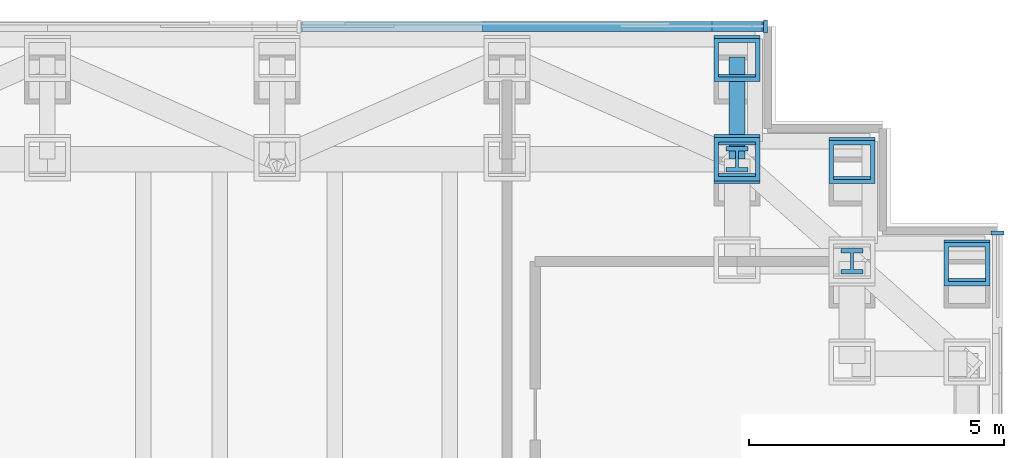
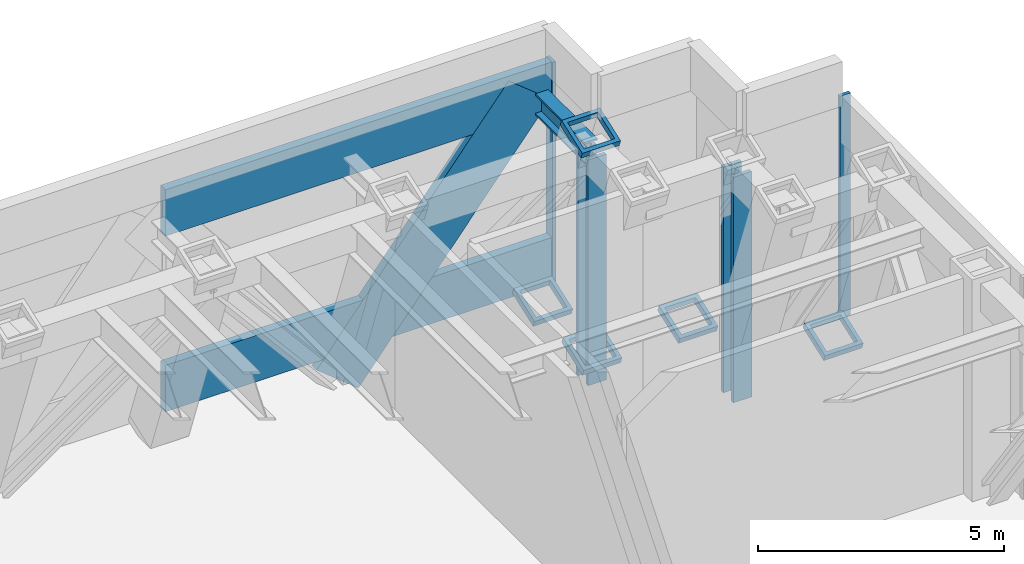
# One storey, part 9 of 16: 12 members, 1 beam, 2 elements without a shape of their own.
"""IFC4 building model written with IfcOpenShell, lengths in metres."""

from ifc_helpers import new_model, si_unit, direction, frame, origin, origin_2d, place, context, subcontext, project, spatial, rectangle, hollow_rectangle, i_section, extrude, material, material_profile, profile_set, type_object, element, aggregate, save


model = new_model("IFC4")

# Units and contexts
model_context = context("Model", 3, precision=1e-05, world=origin(), true_north=direction((0.0, 1.0)))
body_context = subcontext(model_context, "Body", "Model", "MODEL_VIEW")
ifc_project = project(units=[si_unit("LENGTHUNIT", "METRE"), si_unit("AREAUNIT", "SQUARE_METRE"), si_unit("VOLUMEUNIT", "CUBIC_METRE"), si_unit("PLANEANGLEUNIT", "RADIAN"), si_unit("MASSUNIT", "GRAM", prefix="KILO")], contexts=[model_context])

# Site, building, storey
site_placement = place(None, origin())
site = spatial("IfcSite", under=ifc_project, at=site_placement, CompositionType="ELEMENT")
building_placement = place(site_placement, origin())
building = spatial("IfcBuilding", under=site, at=building_placement, Name="Rheinbord Bourse Tower", CompositionType="ELEMENT")
storey_placement = place(building_placement, frame((0.0, 0.0, 180.300048828125)))
storey = spatial("IfcBuildingStorey", under=building, at=storey_placement, Name="L40", CompositionType="ELEMENT", Elevation=180.300048828125)

# Members
ifc_material_1 = material(Name="Steel S460", Category="steel")
ifc_material_profile_1 = material_profile(ifc_material_1, i_section(OverallWidth=0.431884765625, OverallDepth=0.498046875, WebThickness=0.0556640625, FlangeThickness=0.0888671875, at=origin_2d()), Name="HD 400x744")
ifc_profile_set_1 = profile_set([ifc_material_profile_1], Name="Steel S460")
member_type_1 = type_object("IfcMemberType", Name="BELT DIAGONAL HD 400x744", PredefinedType="STRUT", material=ifc_profile_set_1)
for number, where, z_axis, x_axis, name in (
    (1, (69.75, 42.0, -0.60009765625), (0.0, 0.0, 1.0), (1.0, 0.0, 0.0), "Belt truss diagonal NE-B-NE-C L40"),
    (2, (67.5, 44.0, -0.60009765625), (0.0, 0.0, 1.0), (1.0, 0.0, 0.0), "Belt truss diagonal NE-D-NE-E L40"),
):
    element("IfcMember", number, at=place(storey_placement, frame(where, z_axis=z_axis, x_axis=x_axis)), inside=storey, type_object=member_type_1, Name=name, PredefinedType="STRUT", context=body_context, shape_type="SweptSolid", body=[
        extrude(i_section(OverallWidth=0.431884765625, OverallDepth=0.498046875, WebThickness=0.0556640625, FlangeThickness=0.0888671875, at=origin_2d()), origin(), (0.0, 0.0, 1.0), 5.590087890625),
    ])

# Curtain wall, member
ifc_material_2 = material(Name="Dark glass and black aluminium", Category="aluminium")
curtain_wall_type = type_object("IfcCurtainWallType", Name="CW5 DARK GLASS CURTAIN WALL", PredefinedType="USERDEFINED", material=ifc_material_2)
curtain_wall_1_placement = place(storey_placement, origin())
curtain_wall_1 = element("IfcCurtainWall", 3, at=curtain_wall_1_placement, inside=storey, type_object=curtain_wall_type, Name="Curtain wall CW5 N L40", ObjectType="UNITISED CURTAIN WALL", PredefinedType="USERDEFINED")
ifc_material_3 = material(Name="Black anodised aluminium", Category="aluminium")
ifc_material_profile_2 = material_profile(ifc_material_3, rectangle(XDim=0.199951171875, YDim=1.259033203125, at=origin_2d()), Name="CW5 DIAGONAL MULLION 1259x200")
ifc_profile_set_2 = profile_set([ifc_material_profile_2], Name="Black anodised aluminium")
member_type_2 = type_object("IfcMemberType", Name="CW5 BLACK DIAGONAL MULLION", PredefinedType="USERDEFINED", material=ifc_profile_set_2)
member_1_placement = place(storey_placement, frame((63.0, 46.60009765625, -0.60009765625), z_axis=(0.627065297878, 0.0, 0.778966695178), x_axis=(0.0, 1.0, 0.0)))
member_1 = element("IfcMember", 4, at=member_1_placement, type_object=member_type_2, Name="CW5 diagonal mullion belt NE-E", ObjectType="DIAGONAL MULLION", PredefinedType="USERDEFINED", context=body_context, shape_type="SweptSolid", body=[
    extrude(rectangle(XDim=0.199951171875, YDim=1.259033203125, at=origin_2d()), origin(), (0.0, 0.0, 1.0), 7.17626953125),
])

curtain_wall_2_placement = place(storey_placement, origin())
curtain_wall_2 = element("IfcCurtainWall", 5, at=curtain_wall_2_placement, inside=storey, type_object=curtain_wall_type, Name="Curtain wall CW5 E L40", ObjectType="UNITISED CURTAIN WALL", PredefinedType="USERDEFINED")
ifc_material_4 = material(Name="Black anodised aluminium", Category="aluminium")
ifc_material_profile_3 = material_profile(ifc_material_4, rectangle(XDim=0.25, YDim=0.080078125, at=origin_2d()), Name="CW5 MULLION 80x250")
ifc_profile_set_3 = profile_set([ifc_material_profile_3], Name="Black anodised aluminium")
member_type_3 = type_object("IfcMemberType", Name="CW5 BLACK MULLION", PredefinedType="MULLION", material=ifc_profile_set_3)
member_2_placement = place(storey_placement, frame((72.60009765625, 42.56005859375, 0.0), z_axis=(0.0, 0.0, 1.0), x_axis=(-1.0, 0.0, 0.0)))
member_2 = element("IfcMember", 6, at=member_2_placement, type_object=member_type_3, Name="CW5 mullion 6", PredefinedType="MULLION", context=body_context, shape_type="SweptSolid", body=[
    extrude(rectangle(XDim=0.25, YDim=0.080078125, at=origin_2d()), origin(), (0.0, 0.0, 1.0), 5.5),
])
aggregate(curtain_wall_2, [member_2])

# Member
member_3_placement = place(storey_placement, frame((68.06005859375, 46.60009765625, 0.0), z_axis=(0.0, 0.0, 1.0), x_axis=(0.0, -1.0, 0.0)))
member_3 = element("IfcMember", 7, at=member_3_placement, type_object=member_type_3, Name="CW5 mullion 1", PredefinedType="MULLION", context=body_context, shape_type="SweptSolid", body=[
    extrude(rectangle(XDim=0.25, YDim=0.080078125, at=origin_2d()), origin(), (0.0, 0.0, 1.0), 5.5),
])

ifc_material_5 = material(Name="Black anodised aluminium", Category="aluminium")
ifc_material_profile_4 = material_profile(ifc_material_5, rectangle(XDim=0.199951171875, YDim=1.14990234375, at=origin_2d()), Name="CW5 TRANSOM 1150x200")
ifc_profile_set_4 = profile_set([ifc_material_profile_4], Name="Black anodised aluminium")
member_type_4 = type_object("IfcMemberType", Name="CW5 BLACK TRANSOM", PredefinedType="USERDEFINED", material=ifc_profile_set_4)
member_4_placement = place(storey_placement, frame((68.02001953125, 46.60009765625, 0.574951171875), z_axis=(-1.0, 0.0, 0.0), x_axis=(0.0, -1.0, 0.0)))
member_4 = element("IfcMember", 8, at=member_4_placement, type_object=member_type_4, Name="CW5 transom 1.1", ObjectType="TRANSOM", PredefinedType="USERDEFINED", context=body_context, shape_type="SweptSolid", body=[
    extrude(rectangle(XDim=0.199951171875, YDim=1.14990234375, at=origin_2d()), origin(), (0.0, 0.0, 1.0), 9.051513671875),
])

member_5_placement = place(storey_placement, frame((68.02001953125, 46.60009765625, 4.925048828125), z_axis=(-1.0, 0.0, 0.0), x_axis=(0.0, -1.0, 0.0)))
member_5 = element("IfcMember", 9, at=member_5_placement, type_object=member_type_4, Name="CW5 transom 1.2", ObjectType="TRANSOM", PredefinedType="USERDEFINED", context=body_context, shape_type="SweptSolid", body=[
    extrude(rectangle(XDim=0.199951171875, YDim=1.14990234375, at=origin_2d()), origin(), (0.0, 0.0, 1.0), 9.051513671875),
])

aggregate(curtain_wall_1, [member_3, member_4, member_5, member_1])

# Members
ifc_material_6 = material(Name="Steel S460M", Category="steel")
ifc_material_profile_5 = material_profile(ifc_material_6, hollow_rectangle(XDim=0.89990234375, YDim=0.89990234375, WallThickness=0.090087890625, at=origin_2d()), Name="BOX 900x900x90")
ifc_profile_set_5 = profile_set([ifc_material_profile_5], Name="Steel S460M")
member_type_5 = type_object("IfcMemberType", Name="RAKING NODE PIECE BOX 900x900x90", PredefinedType="USERDEFINED", material=ifc_profile_set_5)
for number, where, z_axis, x_axis, name in (
    (10, (72.0, 42.0, 0.0), (0.0, -0.341861886176, 0.939750206587), (1.0, 0.0, 0.0), "Node piece NE-A L40 foot"),
    (11, (69.75, 44.0, 0.0), (0.0, -0.341861886176, 0.939750206587), (1.0, 0.0, 0.0), "Node piece NE-C L40 foot"),
    (12, (67.5, 44.0, 0.0), (0.0, -0.341861886176, 0.939750206587), (0.0, 0.939750206587, 0.341861886176), "Node piece NE-D L40 foot"),
    (13, (67.5, 46.0, 0.0), (0.0, -0.341861886176, 0.939750206587), (0.0, 0.939750206587, 0.341861886176), "Node piece NE-E L40 foot"),
    (14, (67.5, 44.056396484375, 5.344970703125), (0.0, -0.341861886176, 0.939750206587), (0.0, 0.939750206587, 0.341861886176), "Node piece NE-E L40 head"),
):
    element("IfcMember", number, at=place(storey_placement, frame(where, z_axis=z_axis, x_axis=x_axis)), inside=storey, type_object=member_type_5, Name=name, ObjectType="NODE PIECE", PredefinedType="USERDEFINED", context=body_context, shape_type="SweptSolid", body=[
        extrude(hollow_rectangle(XDim=0.89990234375, YDim=0.89990234375, WallThickness=0.090087890625, at=origin_2d()), origin(), (0.0, 0.0, 1.0), 0.1650390625),
    ])

# Beam
ifc_material_7 = material(Name="Steel S460", Category="steel")
ifc_material_profile_6 = material_profile(ifc_material_7, i_section(OverallWidth=0.305908203125, OverallDepth=0.52392578125, WebThickness=0.02099609375, FlangeThickness=0.0400390625, at=origin_2d()), Name="HEM 500")
ifc_profile_set_6 = profile_set([ifc_material_profile_6], Name="Steel S460")
beam_type = type_object("IfcBeamType", Name="SETBACK OUTLOOKER HEM 500", PredefinedType="BEAM", material=ifc_profile_set_6)
beam_placement = place(storey_placement, frame((67.5, 44.0, 4.988037109375), z_axis=(0.0, 1.0, 0.0), x_axis=(-1.0, 0.0, 0.0)))
element("IfcBeam", 15, at=beam_placement, inside=storey, type_object=beam_type, Name="Setback outlooker NE-E L41", PredefinedType="BEAM", context=body_context, shape_type="SweptSolid", body=[
    extrude(i_section(OverallWidth=0.305908203125, OverallDepth=0.52392578125, WebThickness=0.02099609375, FlangeThickness=0.0400390625, at=origin_2d()), origin(), (0.0, 0.0, 1.0), 2.0),
])

save(model, "model.ifc")
